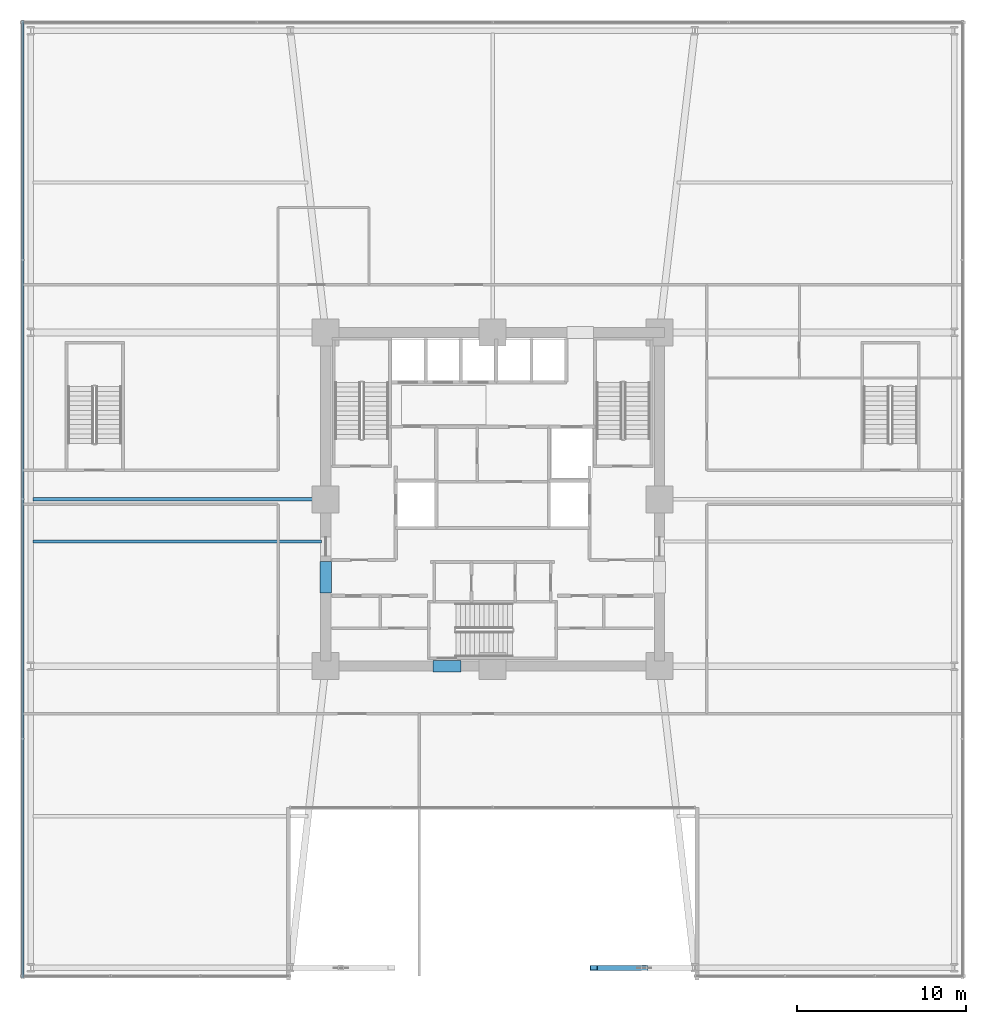
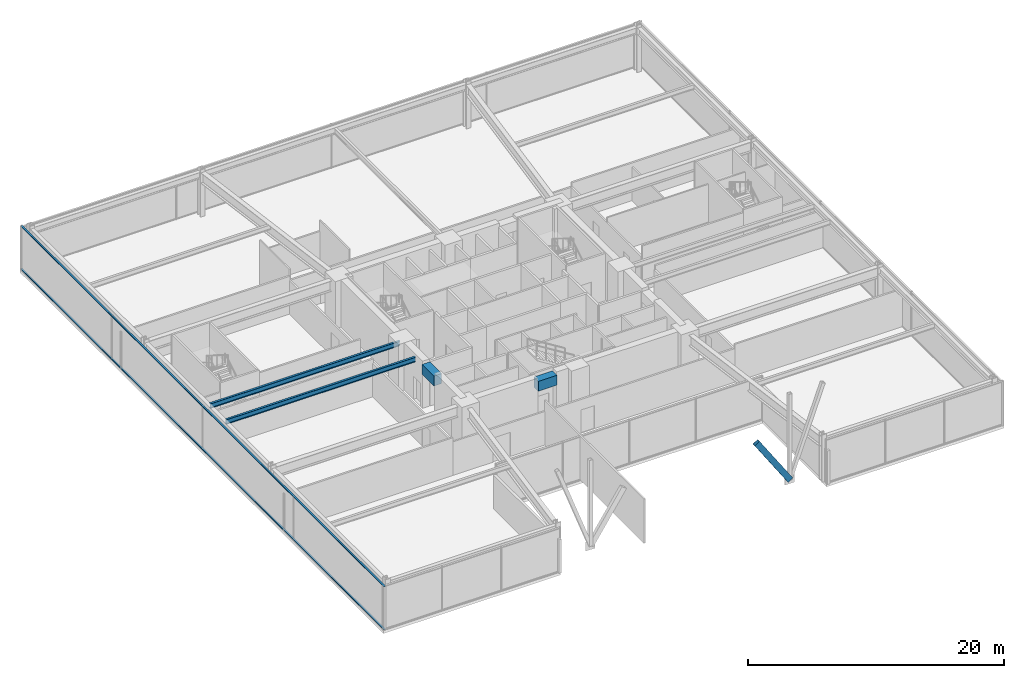
# One storey, part 13 of 47: 4 beams, 3 members, 1 element without a shape of its own.
"""IFC4 building model written with IfcOpenShell, lengths in metres."""

import ifcopenshell
import ifcopenshell.guid

model = None  # the IFC model being written
_history = None  # IfcOwnerHistory: only IFC2X3 demands one
_inside = {}  # id of a spatial element -> (the spatial element, [elements in it])
_under = {}  # id of a project, library or spatial element -> (it, [spatial elements below it])
_declared = {}  # id of a project -> (the project, [libraries it declares])
_typed = {}  # id of a type object -> (the type object, [elements of that type])
_made_of = {}  # id of a material, layer set ... -> (it, [elements and type objects made of it])


def new_model(schema):
    """Start an empty IFC model of exactly this schema.

    Asked for "IFC4X3", IfcOpenShell would pick the latest addendum, in which some entities
    have other attributes; the version numbers below select the first issue.
    IFC2X3 requires an IfcOwnerHistory on every rooted entity: one is made here for all.
    """
    global model, _history
    if schema == "IFC4X3":
        model = ifcopenshell.file(schema_version=(4, 3, 0, 0))
    else:
        model = ifcopenshell.file(schema=schema)
    _inside.clear()
    _under.clear()
    _declared.clear()
    _typed.clear()
    _made_of.clear()
    _history = None
    if model.schema == "IFC2X3":
        org = make("IfcOrganization", Name="unknown")
        user = make(
            "IfcPersonAndOrganization",
            ThePerson=make("IfcPerson", FamilyName="unknown"),
            TheOrganization=org,
        )
        app = make(
            "IfcApplication",
            ApplicationDeveloper=org,
            Version="unknown",
            ApplicationFullName="unknown",
            ApplicationIdentifier="unknown",
        )
        _history = make(
            "IfcOwnerHistory",
            OwningUser=user,
            OwningApplication=app,
            ChangeAction="ADDED",
            CreationDate=0,
        )
    return model


def make(cls, **values):
    """One entity of the class cls with the attributes given. An attribute that is None is left unset."""
    return model.create_entity(
        cls, **{name: value for name, value in values.items() if value is not None}
    )


def rooted(cls, **values):
    """An entity with a GlobalId (a new one), such as an element, a storey or a relation."""
    return make(cls, GlobalId=ifcopenshell.guid.new(), OwnerHistory=_history, **values)


def si_unit(unit_type, name, prefix=None):
    """IfcSIUnit, for example si_unit("LENGTHUNIT", "METRE", prefix="MILLI")."""
    return make("IfcSIUnit", UnitType=unit_type, Prefix=prefix, Name=name)


def assignment(units):
    """IfcUnitAssignment: the units of a project."""
    return None if units is None else make("IfcUnitAssignment", Units=units)


def point(xyz):
    """IfcCartesianPoint."""
    return None if xyz is None else make("IfcCartesianPoint", Coordinates=xyz)


def direction(xyz):
    """IfcDirection."""
    return None if xyz is None else make("IfcDirection", DirectionRatios=xyz)


def frame(location, z_axis=None, x_axis=None):
    """IfcAxis2Placement3D, a coordinate frame: its origin and axes. An axis left out is left unset."""
    return make(
        "IfcAxis2Placement3D",
        Location=point(location),
        Axis=direction(z_axis),
        RefDirection=direction(x_axis),
    )


def frame_2d(location, x_axis=None):
    """IfcAxis2Placement2D, a coordinate frame in the plane: its origin and x axis."""
    return make(
        "IfcAxis2Placement2D", Location=point(location), RefDirection=direction(x_axis)
    )


def origin():
    """The frame at (0, 0, 0) with its axes left unset."""
    return frame((0.0, 0.0, 0.0))


def origin_2d():
    """The frame at (0, 0) in the plane with its x axis left unset."""
    return frame_2d((0.0, 0.0))


def place(relative_to, where):
    """IfcLocalPlacement: puts the frame where relative to a parent placement (None: the world)."""
    return make(
        "IfcLocalPlacement", PlacementRelTo=relative_to, RelativePlacement=where
    )


def context(
    kind, dimensions, precision=None, world=None, true_north=None, identifier=None
):
    """IfcGeometricRepresentationContext, for example the 3D "Model" context."""
    return make(
        "IfcGeometricRepresentationContext",
        ContextIdentifier=identifier,
        ContextType=kind,
        CoordinateSpaceDimension=dimensions,
        Precision=precision,
        WorldCoordinateSystem=world,
        TrueNorth=true_north,
    )


def subcontext(parent, identifier, kind, view, scale=None):
    """IfcGeometricRepresentationSubContext, for example "Body" below "Model"."""
    return make(
        "IfcGeometricRepresentationSubContext",
        ContextIdentifier=identifier,
        ContextType=kind,
        ParentContext=parent,
        TargetScale=scale,
        TargetView=view,
    )


def project(units=None, contexts=None):
    """IfcProject with its units and contexts."""
    return rooted(
        "IfcProject",
        Name="project",
        RepresentationContexts=contexts,
        UnitsInContext=assignment(units),
    )


def spatial(cls, under=None, at=None, **own):
    """A site, building, storey or space (cls), placed at a placement, below another one or the project."""
    s = rooted(cls, ObjectPlacement=at, **own)
    if under is not None:
        _under.setdefault(under.id(), (under, []))[1].append(s)
    return s


def profile(cls, at=None, kind="AREA", **sizes):
    """A parametric profile (cls). Its sizes go by their IFC names, for example OverallWidth=200.0."""
    return make(cls, ProfileType=kind, Position=at, **sizes)


def rectangle(**sizes):
    """IfcRectangleProfileDef."""
    return profile("IfcRectangleProfileDef", **sizes)


def hollow_rectangle(**sizes):
    """IfcRectangleHollowProfileDef."""
    return profile("IfcRectangleHollowProfileDef", **sizes)


def i_section(**sizes):
    """IfcIShapeProfileDef."""
    return profile("IfcIShapeProfileDef", **sizes)


def extrude(swept, where, along, depth):
    """IfcExtrudedAreaSolid: the profile swept, set in the frame where, extruded along a direction by depth."""
    return make(
        "IfcExtrudedAreaSolid",
        SweptArea=swept,
        Position=where,
        ExtrudedDirection=direction(along),
        Depth=depth,
    )


def shape(context_of_items, identifier, shape_type, items):
    """IfcShapeRepresentation: the items that make up one representation, for example the "Body"."""
    return make(
        "IfcShapeRepresentation",
        ContextOfItems=context_of_items,
        RepresentationIdentifier=identifier,
        RepresentationType=shape_type,
        Items=items,
    )


def material(Name=None, Category=None):
    """IfcMaterial."""
    return make("IfcMaterial", Name=Name, Category=Category)


def material_profile(
    of_material, cross_section, Name=None, Category=None, Priority=None
):
    """IfcMaterialProfile: a cross section and its material."""
    return make(
        "IfcMaterialProfile",
        Name=Name,
        Material=of_material,
        Profile=cross_section,
        Priority=Priority,
        Category=Category,
    )


def profile_set(profiles, Name=None, composite=None):
    """IfcMaterialProfileSet."""
    return make(
        "IfcMaterialProfileSet",
        Name=Name,
        MaterialProfiles=profiles,
        CompositeProfile=composite,
    )


def made_of(thing, what):
    """Note that an element or type object is made of a material, layer set ...; save() writes the relation."""
    if what is not None:
        _made_of.setdefault(what.id(), (what, []))[1].append(thing)
    return thing


def type_object(cls, material=None, **own):
    """A type object (cls), such as IfcWallType, which elements share."""
    return made_of(rooted(cls, **own), material)


def element(
    cls,
    number,
    at=None,
    inside=None,
    cuts=None,
    type_object=None,
    material=None,
    context=None,
    identifier="Body",
    shape_type=None,
    held_by="IfcProductDefinitionShape",
    body=None,
    shapes=None,
    **own,
):
    """One element of the class cls, such as IfcWall. Its Tag is "e" and its number.

    at: its placement. inside: the storey or other place that contains it. cuts: it is an
    opening in that element (IfcRelVoidsElement). A single representation is given by context,
    identifier, shape_type and body (its items); several are given by shapes. held_by: the class
    of the entity that holds the representations. save() writes the other relations.
    """
    e = rooted(cls, Tag="e%d" % number, ObjectPlacement=at, **own)
    if body is not None:
        shapes = [shape(context, identifier, shape_type, body)]
    if shapes is not None:
        e.Representation = make(held_by, Representations=shapes)
    if inside is not None:
        _inside.setdefault(inside.id(), (inside, []))[1].append(e)
    if cuts is not None:
        rooted(
            "IfcRelVoidsElement", RelatingBuildingElement=cuts, RelatedOpeningElement=e
        )
    if type_object is not None:
        _typed.setdefault(type_object.id(), (type_object, []))[1].append(e)
    return made_of(e, material)


def aggregate(whole, parts):
    """IfcRelAggregates: a whole, such as a stair, and the parts it consists of."""
    return rooted("IfcRelAggregates", RelatingObject=whole, RelatedObjects=parts)


def save(model, path):
    """Write the relations noted so far, then the file.

    IfcRelAggregates (storeys below a building ...), IfcRelContainedInSpatialStructure (elements
    in a storey), IfcRelDefinesByType, IfcRelAssociatesMaterial and IfcRelDeclares: one each for
    every whole, place, type object, material and project.
    """
    for whole, parts in _under.values():
        aggregate(whole, parts)
    for where, things in _inside.values():
        rooted(
            "IfcRelContainedInSpatialStructure",
            RelatedElements=things,
            RelatingStructure=where,
        )
    for kind, things in _typed.values():
        rooted("IfcRelDefinesByType", RelatedObjects=things, RelatingType=kind)
    for what, things in _made_of.values():
        rooted("IfcRelAssociatesMaterial", RelatedObjects=things, RelatingMaterial=what)
    for by, libraries in _declared.values():
        rooted("IfcRelDeclares", RelatingContext=by, RelatedDefinitions=libraries)
    model.write(path)


model = new_model("IFC4")

# Units and contexts
model_context = context("Model", 3, precision=1e-05, world=origin(), true_north=direction((0.0, 1.0)))
body_context = subcontext(model_context, "Body", "Model", "MODEL_VIEW")
ifc_project = project(units=[si_unit("LENGTHUNIT", "METRE"), si_unit("AREAUNIT", "SQUARE_METRE"), si_unit("VOLUMEUNIT", "CUBIC_METRE"), si_unit("PLANEANGLEUNIT", "RADIAN"), si_unit("MASSUNIT", "GRAM", prefix="KILO")], contexts=[model_context])

# Site, building, storey
site_placement = place(None, origin())
site = spatial("IfcSite", under=ifc_project, at=site_placement, CompositionType="ELEMENT")
building_placement = place(site_placement, origin())
building = spatial("IfcBuilding", under=site, at=building_placement, Name="Kolvaren Belvedere", CompositionType="ELEMENT")
storey_placement = place(building_placement, frame((0.0, 0.0, 5.5)))
storey = spatial("IfcBuildingStorey", under=building, at=storey_placement, Name="L02", CompositionType="ELEMENT", Elevation=5.5)

# Beams
ifc_material_1 = material(Name="Structural steel ASTM A992 Grade 50", Category="steel")
ifc_material_profile_1 = material_profile(ifc_material_1, i_section(OverallWidth=0.19091796875, OverallDepth=0.4599609375, WebThickness=0.010009765625, FlangeThickness=0.01611328125, FilletRadius=0.014892578125, at=origin_2d()), Name="W18X55")
ifc_profile_set_1 = profile_set([ifc_material_profile_1], Name="Structural steel ASTM A992 Grade 50")
beam_type_1 = type_object("IfcBeamType", Name="BM-JOIST-W18X55", PredefinedType="BEAM", material=ifc_profile_set_1)
for number, where, z_axis, x_axis, name in (
    (1, (-27.280029296875, -2.5, 3.989990234375), (1.0, 0.0, 0.0), (0.0, 1.0, 0.0), "L02 West Bay Floor Beam"),
    (2, (-27.280029296875, 0.0, 3.989990234375), (1.0, 0.0, 0.0), (0.0, 1.0, 0.0), "L02 West Bay Floor Beam"),
):
    element("IfcBeam", number, at=place(storey_placement, frame(where, z_axis=z_axis, x_axis=x_axis)), inside=storey, type_object=beam_type_1, Name=name, PredefinedType="BEAM", context=body_context, shape_type="SweptSolid", body=[
        extrude(i_section(OverallWidth=0.19091796875, OverallDepth=0.4599609375, WebThickness=0.010009765625, FlangeThickness=0.01611328125, FilletRadius=0.014892578125, at=origin_2d()), origin(), (0.0, 0.0, 1.0), 17.130126953125),
    ])
ifc_material_2 = material(Name="Concrete C60/75", Category="concrete")
ifc_material_profile_2 = material_profile(ifc_material_2, rectangle(XDim=0.699951171875, YDim=0.949951171875, at=origin_2d()), Name="RC 700X950")
ifc_profile_set_2 = profile_set([ifc_material_profile_2], Name="Concrete C60/75")
beam_type_2 = type_object("IfcBeamType", Name="BM-LINT-950", PredefinedType="LINTEL", material=ifc_profile_set_2)
beam_1_placement = place(storey_placement, frame((-3.5400390625, -9.89990234375, 3.7451171875), z_axis=(1.0, 0.0, 0.0), x_axis=(0.0, 1.0, 0.0)))
element("IfcBeam", 3, at=beam_1_placement, inside=storey, type_object=beam_type_2, Name="L02 South Core Coupling Lintel", PredefinedType="LINTEL", context=body_context, shape_type="SweptSolid", body=[
    extrude(rectangle(XDim=0.699951171875, YDim=0.949951171875, at=origin_2d()), origin(), (0.0, 0.0, 1.0), 1.679931640625),
])
beam_2_placement = place(storey_placement, frame((-9.89990234375, -5.550048828125, 3.7451171875), z_axis=(0.0, 1.0, 0.0), x_axis=(-1.0, 0.0, 0.0)))
element("IfcBeam", 4, at=beam_2_placement, inside=storey, type_object=beam_type_2, Name="L02 West Core Coupling Lintel", PredefinedType="LINTEL", context=body_context, shape_type="SweptSolid", body=[
    extrude(rectangle(XDim=0.699951171875, YDim=0.949951171875, at=origin_2d()), origin(), (0.0, 0.0, 1.0), 1.85009765625),
])

# Curtain wall, members
ifc_material_3 = material(Name="Anodised pale-metal aluminium AA 6063-T6", Category="aluminium")
curtain_wall_type = type_object("IfcCurtainWallType", Name="CW-POD-A", PredefinedType="NOTDEFINED", material=ifc_material_3)
curtain_wall_placement = place(storey_placement, origin())
curtain_wall = element("IfcCurtainWall", 5, at=curtain_wall_placement, inside=storey, type_object=curtain_wall_type, Name="L02 Unitised Curtain Wall FCW-L02-SEG8", PredefinedType="NOTDEFINED")
ifc_material_4 = material(Name="Anodised pale-metal aluminium AA 6063-T6", Category="aluminium")
ifc_material_profile_3 = material_profile(ifc_material_4, hollow_rectangle(XDim=0.06494140625, YDim=0.159912109375, WallThickness=0.00390625, at=origin_2d()), Name="ALU-TRN-160X65")
ifc_profile_set_3 = profile_set([ifc_material_profile_3], Name="Anodised pale-metal aluminium AA 6063-T6")
member_type_1 = type_object("IfcMemberType", Name="CW-TRN-160", PredefinedType="USERDEFINED", material=ifc_profile_set_3)
member_1_placement = place(storey_placement, frame((-27.8798828125, -28.39990234375, 0.06005859375), z_axis=(0.0, 1.0, 0.0), x_axis=(0.0, 0.0, 1.0)))
member_1 = element("IfcMember", 6, at=member_1_placement, type_object=member_type_1, Name="FCW-L02-SEG8 Sill Transom", ObjectType="TRANSOM", PredefinedType="USERDEFINED", context=body_context, shape_type="SweptSolid", body=[
    extrude(hollow_rectangle(XDim=0.06494140625, YDim=0.159912109375, WallThickness=0.00390625, at=origin_2d()), origin(), (0.0, 0.0, 1.0), 56.7998046875),
])
member_2_placement = place(storey_placement, frame((-27.8798828125, -28.39990234375, 4.159912109375), z_axis=(0.0, 1.0, 0.0), x_axis=(0.0, 0.0, 1.0)))
member_2 = element("IfcMember", 7, at=member_2_placement, type_object=member_type_1, Name="FCW-L02-SEG8 Head Transom", ObjectType="TRANSOM", PredefinedType="USERDEFINED", context=body_context, shape_type="SweptSolid", body=[
    extrude(hollow_rectangle(XDim=0.06494140625, YDim=0.159912109375, WallThickness=0.00390625, at=origin_2d()), origin(), (0.0, 0.0, 1.0), 56.7998046875),
])
aggregate(curtain_wall, [member_1, member_2])

# Member
ifc_material_5 = material(Name="Structural steel ASTM A500 Grade C", Category="steel")
ifc_material_profile_4 = material_profile(ifc_material_5, hollow_rectangle(XDim=0.304931640625, YDim=0.508056640625, WallThickness=0.014892578125, at=origin_2d()), Name="HSS20X12X5/8")
ifc_profile_set_4 = profile_set([ifc_material_profile_4], Name="Structural steel ASTM A500 Grade C")
member_type_2 = type_object("IfcMemberType", Name="MB-ARCH-CHORD", PredefinedType="CHORD", material=ifc_profile_set_4)
member_3_placement = place(storey_placement, frame((6.0, -27.800048828125, 5.675048828125), z_axis=(0.552043319849, 0.0, -0.833815431022), x_axis=(0.0, 1.0, 0.0)))
element("IfcMember", 8, at=member_3_placement, inside=storey, type_object=member_type_2, Name="Giant Portal Arch Rib Chord AC-7", PredefinedType="CHORD", context=body_context, shape_type="SweptSolid", body=[
    extrude(hollow_rectangle(XDim=0.304931640625, YDim=0.508056640625, WallThickness=0.014892578125, at=origin_2d()), origin(), (0.0, 0.0, 1.0), 5.434326171875),
])

save(model, "model.ifc")
